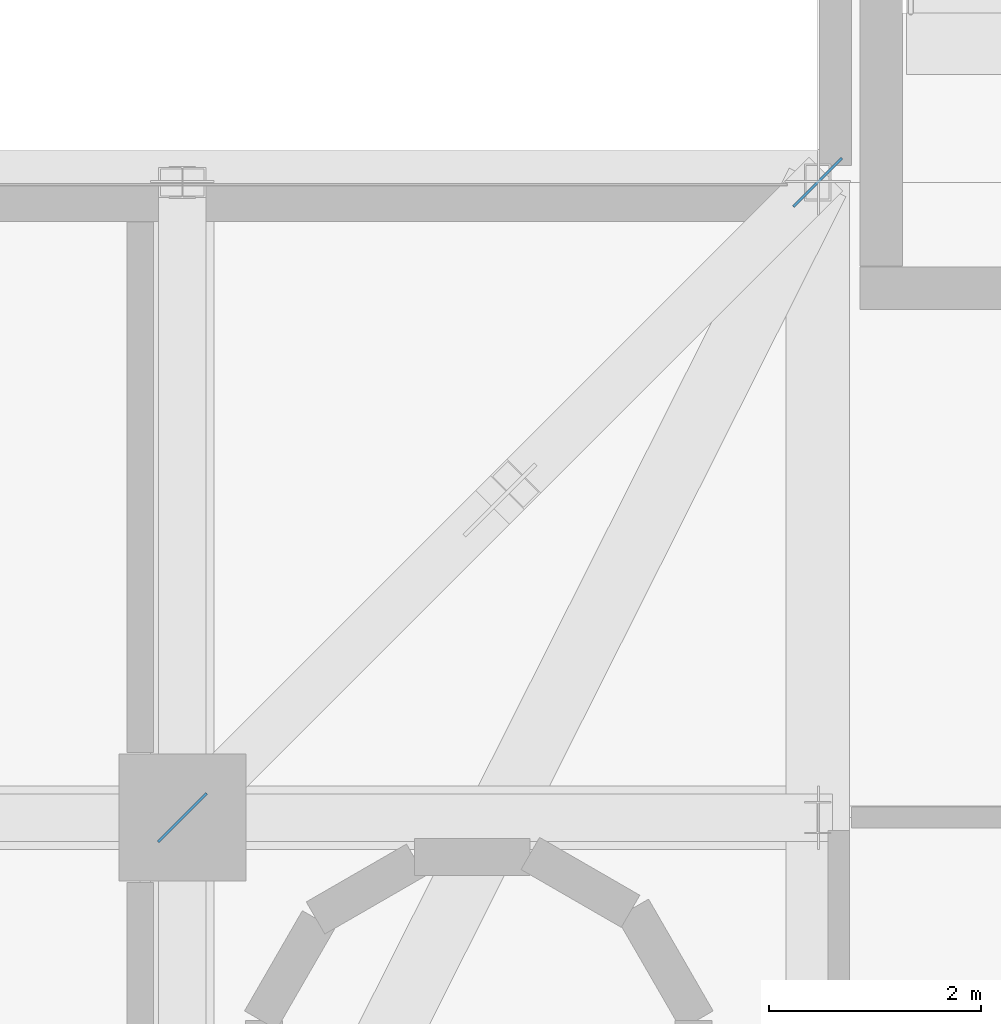
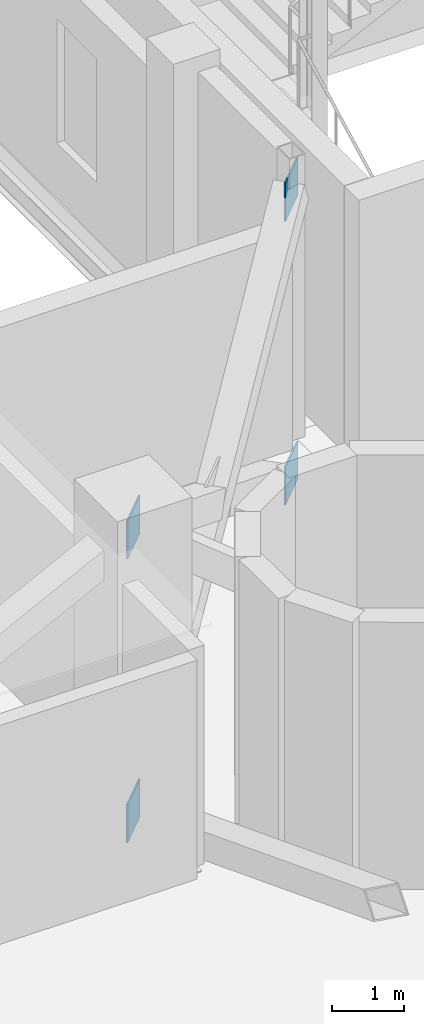
# One storey, part 106 of 127: 4 plates.
"""IFC4 building model written with IfcOpenShell, lengths in metres."""

from ifc_helpers import new_model, si_unit, derived_unit, direction, frame, origin, origin_2d, place, context, subcontext, project, spatial, rectangle, extrude, material, layer, layer_set, type_object, element, save


model = new_model("IFC4")

# Units and contexts
model_context = context("Model", 3, precision=1e-05, world=origin(), true_north=direction((0.0, 1.0)))
body_context = subcontext(model_context, "Body", "Model", "MODEL_VIEW")
ifc_project = project(units=[si_unit("LENGTHUNIT", "METRE"), si_unit("AREAUNIT", "SQUARE_METRE"), si_unit("VOLUMEUNIT", "CUBIC_METRE"), si_unit("PLANEANGLEUNIT", "RADIAN"), si_unit("MASSUNIT", "GRAM", prefix="KILO"), derived_unit("THERMALTRANSMITTANCEUNIT", [(si_unit("POWERUNIT", "WATT"), 1), (si_unit("LENGTHUNIT", "METRE"), -2), (si_unit("THERMODYNAMICTEMPERATUREUNIT", "KELVIN"), -1)])], contexts=[model_context])

# Site, building, storey
site_placement = place(None, origin())
site = spatial("IfcSite", under=ifc_project, at=site_placement, CompositionType="ELEMENT")
building_placement = place(site_placement, origin())
building = spatial("IfcBuilding", under=site, at=building_placement, Name="Nallur Shell Playhouse", CompositionType="ELEMENT")
storey_placement = place(building_placement, frame((0.0, 0.0, 5.39990234375)))
storey = spatial("IfcBuildingStorey", under=building, at=storey_placement, Name="L02", CompositionType="ELEMENT", Elevation=5.39990234375)

# Plates
ifc_material = material(Name="Steel E350", Category="steel")
ifc_layer = layer(ifc_material, 0.02490234375)
ifc_layer_set = layer_set([ifc_layer], Name="Steel E350")
plate_type = type_object("IfcPlateType", Name="PT-GUSSET-25", PredefinedType="USERDEFINED", material=ifc_layer_set)
for number, where, z_axis, x_axis, name in (
    (1, (112.60009765625, 41.0, -1.0048828125), (0.0, 0.0, 1.0), (0.707106781187, 0.707106781187, 0.0), "Corner transfer TTC-NE end gusset plate B0"),
    (2, (112.60009765625, 41.0, 3.815185546875), (0.0, 0.0, 1.0), (0.707106781187, 0.707106781187, 0.0), "Corner transfer TTC-NE end gusset plate T0"),
    (3, (118.60009765625, 47.0, -1.0048828125), (0.0, 0.0, 1.0), (0.707106781187, 0.707106781187, 0.0), "Corner transfer TTC-NE end gusset plate B1"),
    (4, (118.60009765625, 47.0, 3.815185546875), (0.0, 0.0, 1.0), (0.707106781187, 0.707106781187, 0.0), "Corner transfer TTC-NE end gusset plate T1"),
):
    element("IfcPlate", number, at=place(storey_placement, frame(where, z_axis=z_axis, x_axis=x_axis)), inside=storey, type_object=plate_type, Name=name, ObjectType="GUSSET PLATE", PredefinedType="USERDEFINED", context=body_context, shape_type="SweptSolid", body=[
        extrude(rectangle(XDim=0.64990234375, YDim=0.02490234375, at=origin_2d()), origin(), (0.0, 0.0, 1.0), 0.64990234375),
    ])

save(model, "model.ifc")
